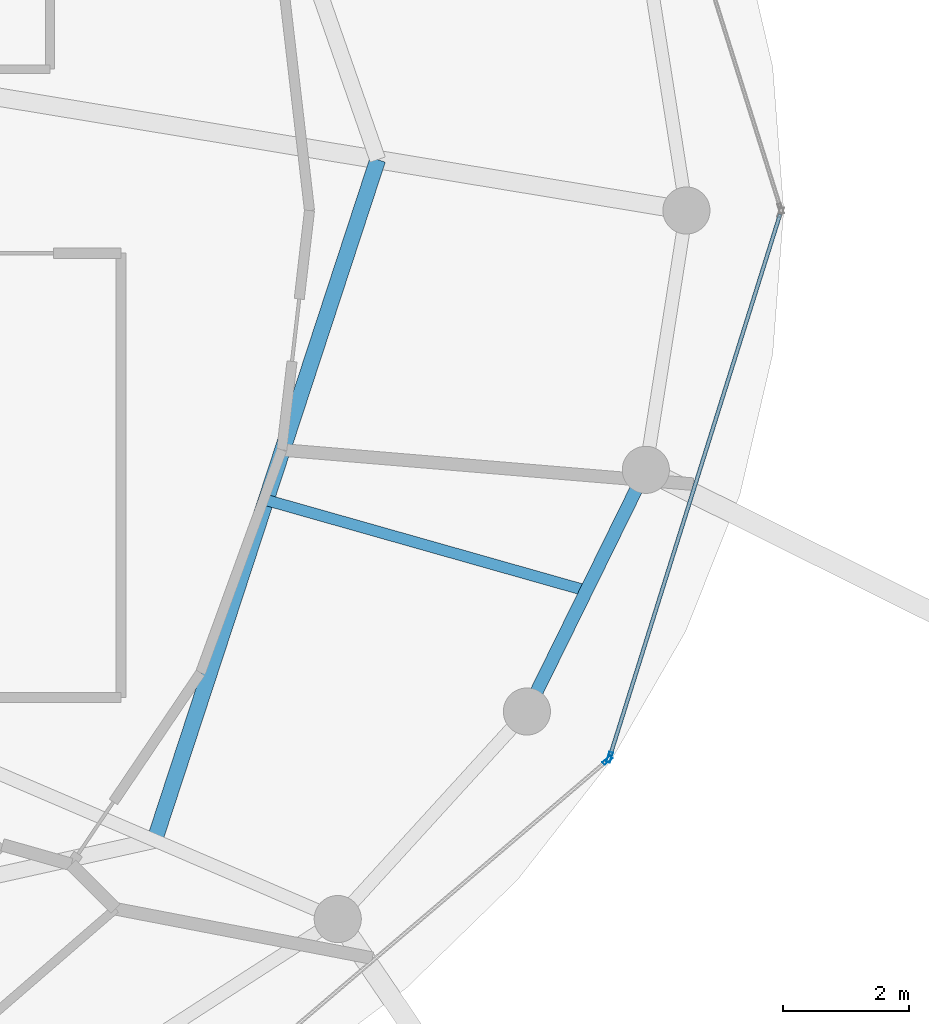
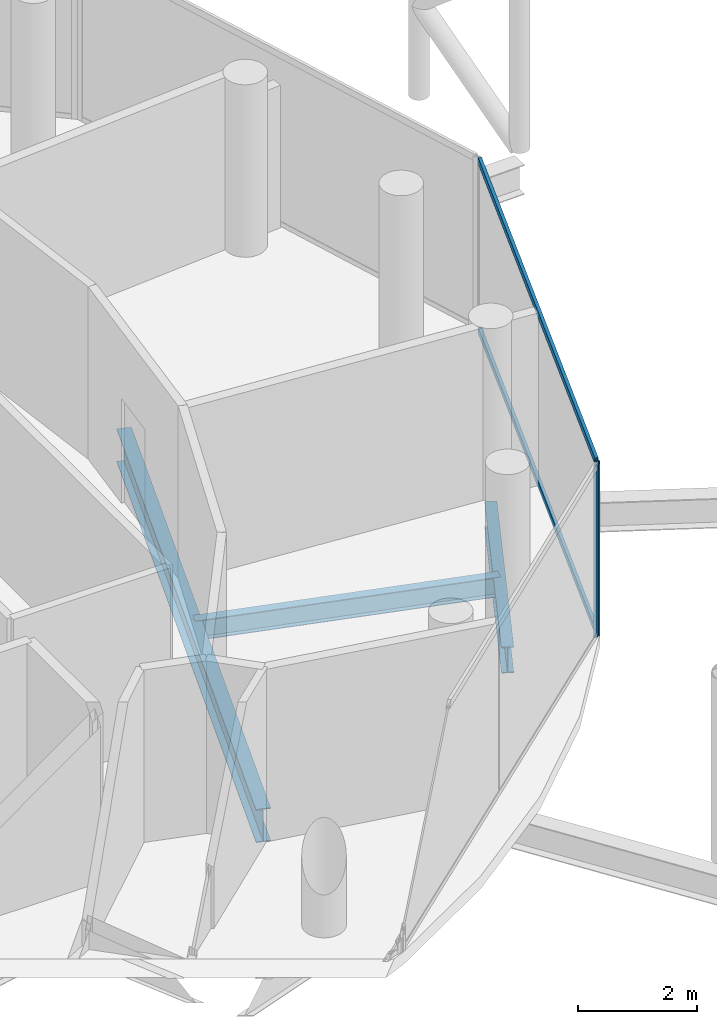
# One storey, part 10 of 24: 4 members, 3 beams, 2 elements without a shape of their own.
"""IFC4 building model written with IfcOpenShell, lengths in metres."""

from ifc_helpers import new_model, si_unit, direction, frame, origin, origin_2d, place, context, subcontext, project, spatial, hollow_rectangle, i_section, extrude, material, layer, layer_set, material_profile, profile_set, type_object, element, aggregate, save


model = new_model("IFC4")

# Units and contexts
model_context = context("Model", 3, precision=1e-05, world=origin(), true_north=direction((0.0, 1.0)))
body_context = subcontext(model_context, "Body", "Model", "MODEL_VIEW")
ifc_project = project(units=[si_unit("LENGTHUNIT", "METRE"), si_unit("AREAUNIT", "SQUARE_METRE"), si_unit("VOLUMEUNIT", "CUBIC_METRE"), si_unit("PLANEANGLEUNIT", "RADIAN"), si_unit("MASSUNIT", "GRAM", prefix="KILO")], contexts=[model_context])

# Site, building, storey
site_placement = place(None, origin())
site = spatial("IfcSite", under=ifc_project, at=site_placement, CompositionType="ELEMENT")
building_placement = place(site_placement, origin())
building = spatial("IfcBuilding", under=site, at=building_placement, Name="Nuhasar Tower", CompositionType="ELEMENT")
storey_placement = place(building_placement, frame((0.0, 0.0, 282.199951171875)))
storey = spatial("IfcBuildingStorey", under=building, at=storey_placement, Name="L70", CompositionType="ELEMENT", Elevation=282.199951171875)

# Beams
ifc_material_1 = material(Name="Steel S355", Category="steel")
ifc_material_profile_1 = material_profile(ifc_material_1, i_section(OverallWidth=0.25390625, OverallDepth=0.68408203125, WebThickness=0.012451171875, FlangeThickness=0.018798828125, at=origin_2d()), Name="W27X94")
ifc_profile_set_1 = profile_set([ifc_material_profile_1], Name="Steel S355")
beam_type_1 = type_object("IfcBeamType", Name="BM-INRING-W27X94", PredefinedType="BEAM", material=ifc_profile_set_1)
beam_1_placement = place(storey_placement, frame((49.48388671875, 16.77392578125, -0.60205078125), z_axis=(0.311483801376, 0.950251462235, 0.0), x_axis=(-0.950251462235, 0.311483801376, 0.0)))
element("IfcBeam", 1, at=beam_1_placement, inside=storey, type_object=beam_type_1, Name="L70 Inner Header Beam 03", PredefinedType="BEAM", context=body_context, shape_type="SweptSolid", body=[
    extrude(i_section(OverallWidth=0.25390625, OverallDepth=0.68408203125, WebThickness=0.012451171875, FlangeThickness=0.018798828125, at=origin_2d()), origin(), (0.0, 0.0, 1.0), 11.403564453125),
])
ifc_material_profile_2 = material_profile(ifc_material_1, i_section(OverallWidth=0.177978515625, OverallDepth=0.406005859375, WebThickness=0.0078125, FlangeThickness=0.0126953125, at=origin_2d()), Name="W16X40")
ifc_profile_set_2 = profile_set([ifc_material_profile_2], Name="Steel S355")
beam_type_2 = type_object("IfcBeamType", Name="BM-JST-W16X40", PredefinedType="JOIST", material=ifc_profile_set_2)
beam_2_placement = place(storey_placement, frame((51.260009765625, 22.19189453125, -0.462890625), z_axis=(0.962154316042, -0.272505178156, 0.0), x_axis=(0.272505178156, 0.962154316042, 0.0)))
element("IfcBeam", 2, at=beam_2_placement, inside=storey, type_object=beam_type_2, Name="L70 Secondary Floor Joist 03", PredefinedType="JOIST", context=body_context, shape_type="SweptSolid", body=[
    extrude(i_section(OverallWidth=0.177978515625, OverallDepth=0.406005859375, WebThickness=0.0078125, FlangeThickness=0.0126953125, at=origin_2d()), origin(), (0.0, 0.0, 1.0), 5.29833984375),
])
ifc_material_profile_3 = material_profile(ifc_material_1, i_section(OverallWidth=0.2099609375, OverallDepth=0.537109375, WebThickness=0.010986328125, FlangeThickness=0.017333984375, at=origin_2d()), Name="W21X68")
ifc_profile_set_3 = profile_set([ifc_material_profile_3], Name="Steel S355")
beam_type_3 = type_object("IfcBeamType", Name="BM-RING-W21X68", PredefinedType="SPANDREL", material=ifc_profile_set_3)
beam_3_placement = place(storey_placement, frame((55.410888671875, 18.824951171875, -0.529052734375), z_axis=(0.441510561726, 0.897256052576, 0.0), x_axis=(-0.897256052576, 0.441510561726, 0.0)))
element("IfcBeam", 3, at=beam_3_placement, inside=storey, type_object=beam_type_3, Name="L70 Perimeter Ring Spandrel 23", PredefinedType="SPANDREL", context=body_context, shape_type="SweptSolid", body=[
    extrude(i_section(OverallWidth=0.2099609375, OverallDepth=0.537109375, WebThickness=0.010986328125, FlangeThickness=0.017333984375, at=origin_2d()), origin(), (0.0, 0.0, 1.0), 4.28759765625),
])

# Curtain wall, member
ifc_material_2 = material(Name="Aluminium 6063-T6", Category="aluminium")
ifc_layer = layer(ifc_material_2, 0.18994140625)
ifc_layer_set = layer_set([ifc_layer], Name="Aluminium 6063-T6")
curtain_wall_type = type_object("IfcCurtainWallType", Name="CW-Z4-PEN", PredefinedType="NOTDEFINED", material=ifc_layer_set)
curtain_wall_1_placement = place(storey_placement, origin())
curtain_wall_1 = element("IfcCurtainWall", 4, at=curtain_wall_1_placement, inside=storey, type_object=curtain_wall_type, Name="L70 Unitised Curtain Wall 11", PredefinedType="NOTDEFINED")
ifc_material_profile_4 = material_profile(ifc_material_2, hollow_rectangle(XDim=0.06005859375, YDim=0.1650390625, WallThickness=0.0048828125, at=origin_2d()), Name="CWM-5")
ifc_profile_set_4 = profile_set([ifc_material_profile_4], Name="Aluminium 6063-T6")
member_type_1 = type_object("IfcMemberType", Name="CW-MUL-S5", PredefinedType="MULLION", material=ifc_profile_set_4)
member_1_placement = place(storey_placement, frame((56.6962890625, 18.050537109375, 0.0), z_axis=(0.0, 0.0, 1.0), x_axis=(-0.649141996205, 0.760667252327, 0.0)))
member_1 = element("IfcMember", 5, at=member_1_placement, type_object=member_type_1, Name="CW-Z4 mullion 2", PredefinedType="MULLION", context=body_context, shape_type="SweptSolid", body=[
    extrude(hollow_rectangle(XDim=0.06005859375, YDim=0.1650390625, WallThickness=0.0048828125, at=origin_2d()), origin(), (0.0, 0.0, 1.0), 3.5400390625),
])
aggregate(curtain_wall_1, [member_1])

# Curtain wall, members
curtain_wall_2_placement = place(storey_placement, origin())
curtain_wall_2 = element("IfcCurtainWall", 6, at=curtain_wall_2_placement, inside=storey, type_object=curtain_wall_type, Name="L70 Unitised Curtain Wall 12", PredefinedType="NOTDEFINED")
member_2_placement = place(storey_placement, frame((56.72802734375, 18.0986328125, 0.0), z_axis=(0.0, 0.0, 1.0), x_axis=(-0.954078526601, 0.299556614146, 0.0)))
member_2 = element("IfcMember", 7, at=member_2_placement, type_object=member_type_1, Name="CW-Z4 mullion 1", PredefinedType="MULLION", context=body_context, shape_type="SweptSolid", body=[
    extrude(hollow_rectangle(XDim=0.06005859375, YDim=0.1650390625, WallThickness=0.0048828125, at=origin_2d()), origin(), (0.0, 0.0, 1.0), 3.5400390625),
])
ifc_material_profile_5 = material_profile(ifc_material_2, hollow_rectangle(XDim=0.06005859375, YDim=0.135009765625, WallThickness=0.00439453125, at=origin_2d()), Name="CWT-5")
ifc_profile_set_5 = profile_set([ifc_material_profile_5], Name="Aluminium 6063-T6")
member_type_2 = type_object("IfcMemberType", Name="CW-TRN-S5", PredefinedType="USERDEFINED", material=ifc_profile_set_5)
member_3_placement = place(storey_placement, frame((56.737060546875, 18.127197265625, 0.030029296875), z_axis=(0.29956014073, 0.954077419335, 0.0), x_axis=(-0.954077419335, 0.29956014073, 0.0)))
member_3 = element("IfcMember", 8, at=member_3_placement, type_object=member_type_2, Name="CW-Z4 transom 1.1", ObjectType="TRANSOM", PredefinedType="USERDEFINED", context=body_context, shape_type="SweptSolid", body=[
    extrude(hollow_rectangle(XDim=0.06005859375, YDim=0.135009765625, WallThickness=0.00439453125, at=origin_2d()), origin(), (0.0, 0.0, 1.0), 9.0302734375),
])
member_4_placement = place(storey_placement, frame((56.737060546875, 18.127197265625, 3.510009765625), z_axis=(0.29956014073, 0.954077419335, 0.0), x_axis=(-0.954077419335, 0.29956014073, 0.0)))
member_4 = element("IfcMember", 9, at=member_4_placement, type_object=member_type_2, Name="CW-Z4 transom 1.2", ObjectType="TRANSOM", PredefinedType="USERDEFINED", context=body_context, shape_type="SweptSolid", body=[
    extrude(hollow_rectangle(XDim=0.06005859375, YDim=0.135009765625, WallThickness=0.00439453125, at=origin_2d()), origin(), (0.0, 0.0, 1.0), 9.0302734375),
])
aggregate(curtain_wall_2, [member_2, member_3, member_4])

save(model, "model.ifc")
